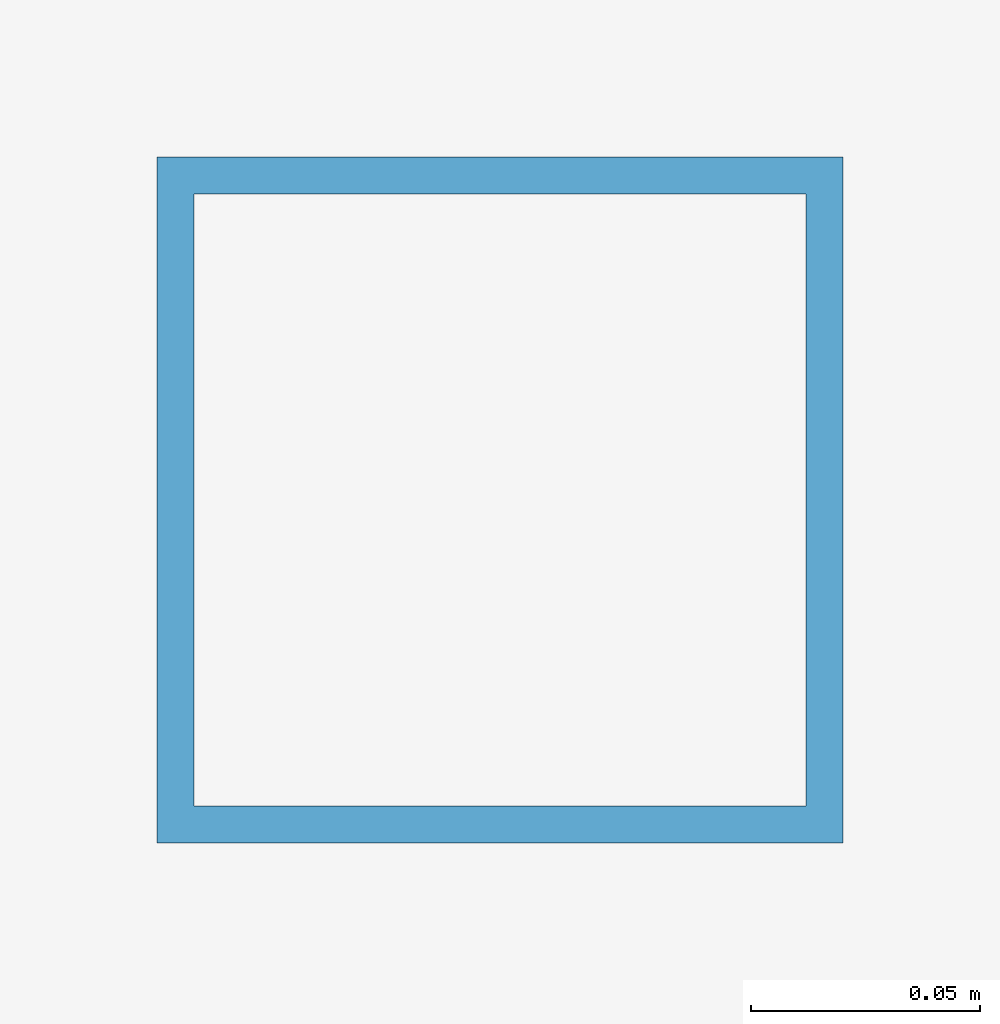
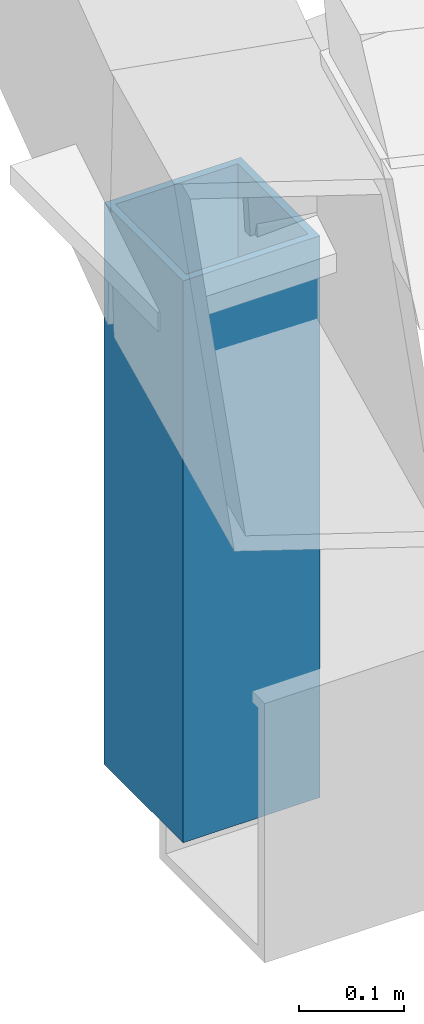
# One storey, part 12 of 18: 1 member.
"""IFC4 building model written with IfcOpenShell, lengths in metres."""

import ifcopenshell
import ifcopenshell.guid

model = None  # the IFC model being written
_history = None  # IfcOwnerHistory: only IFC2X3 demands one
_inside = {}  # id of a spatial element -> (the spatial element, [elements in it])
_under = {}  # id of a project, library or spatial element -> (it, [spatial elements below it])
_declared = {}  # id of a project -> (the project, [libraries it declares])
_typed = {}  # id of a type object -> (the type object, [elements of that type])
_made_of = {}  # id of a material, layer set ... -> (it, [elements and type objects made of it])


def new_model(schema):
    """Start an empty IFC model of exactly this schema.

    Asked for "IFC4X3", IfcOpenShell would pick the latest addendum, in which some entities
    have other attributes; the version numbers below select the first issue.
    IFC2X3 requires an IfcOwnerHistory on every rooted entity: one is made here for all.
    """
    global model, _history
    if schema == "IFC4X3":
        model = ifcopenshell.file(schema_version=(4, 3, 0, 0))
    else:
        model = ifcopenshell.file(schema=schema)
    _inside.clear()
    _under.clear()
    _declared.clear()
    _typed.clear()
    _made_of.clear()
    _history = None
    if model.schema == "IFC2X3":
        org = make("IfcOrganization", Name="unknown")
        user = make(
            "IfcPersonAndOrganization",
            ThePerson=make("IfcPerson", FamilyName="unknown"),
            TheOrganization=org,
        )
        app = make(
            "IfcApplication",
            ApplicationDeveloper=org,
            Version="unknown",
            ApplicationFullName="unknown",
            ApplicationIdentifier="unknown",
        )
        _history = make(
            "IfcOwnerHistory",
            OwningUser=user,
            OwningApplication=app,
            ChangeAction="ADDED",
            CreationDate=0,
        )
    return model


def make(cls, **values):
    """One entity of the class cls with the attributes given. An attribute that is None is left unset."""
    return model.create_entity(
        cls, **{name: value for name, value in values.items() if value is not None}
    )


def rooted(cls, **values):
    """An entity with a GlobalId (a new one), such as an element, a storey or a relation."""
    return make(cls, GlobalId=ifcopenshell.guid.new(), OwnerHistory=_history, **values)


def si_unit(unit_type, name, prefix=None):
    """IfcSIUnit, for example si_unit("LENGTHUNIT", "METRE", prefix="MILLI")."""
    return make("IfcSIUnit", UnitType=unit_type, Prefix=prefix, Name=name)


def assignment(units):
    """IfcUnitAssignment: the units of a project."""
    return None if units is None else make("IfcUnitAssignment", Units=units)


def point(xyz):
    """IfcCartesianPoint."""
    return None if xyz is None else make("IfcCartesianPoint", Coordinates=xyz)


def direction(xyz):
    """IfcDirection."""
    return None if xyz is None else make("IfcDirection", DirectionRatios=xyz)


def frame(location, z_axis=None, x_axis=None):
    """IfcAxis2Placement3D, a coordinate frame: its origin and axes. An axis left out is left unset."""
    return make(
        "IfcAxis2Placement3D",
        Location=point(location),
        Axis=direction(z_axis),
        RefDirection=direction(x_axis),
    )


def frame_2d(location, x_axis=None):
    """IfcAxis2Placement2D, a coordinate frame in the plane: its origin and x axis."""
    return make(
        "IfcAxis2Placement2D", Location=point(location), RefDirection=direction(x_axis)
    )


def origin():
    """The frame at (0, 0, 0) with its axes left unset."""
    return frame((0.0, 0.0, 0.0))


def origin_2d():
    """The frame at (0, 0) in the plane with its x axis left unset."""
    return frame_2d((0.0, 0.0))


def place(relative_to, where):
    """IfcLocalPlacement: puts the frame where relative to a parent placement (None: the world)."""
    return make(
        "IfcLocalPlacement", PlacementRelTo=relative_to, RelativePlacement=where
    )


def context(
    kind, dimensions, precision=None, world=None, true_north=None, identifier=None
):
    """IfcGeometricRepresentationContext, for example the 3D "Model" context."""
    return make(
        "IfcGeometricRepresentationContext",
        ContextIdentifier=identifier,
        ContextType=kind,
        CoordinateSpaceDimension=dimensions,
        Precision=precision,
        WorldCoordinateSystem=world,
        TrueNorth=true_north,
    )


def subcontext(parent, identifier, kind, view, scale=None):
    """IfcGeometricRepresentationSubContext, for example "Body" below "Model"."""
    return make(
        "IfcGeometricRepresentationSubContext",
        ContextIdentifier=identifier,
        ContextType=kind,
        ParentContext=parent,
        TargetScale=scale,
        TargetView=view,
    )


def project(units=None, contexts=None):
    """IfcProject with its units and contexts."""
    return rooted(
        "IfcProject",
        Name="project",
        RepresentationContexts=contexts,
        UnitsInContext=assignment(units),
    )


def spatial(cls, under=None, at=None, **own):
    """A site, building, storey or space (cls), placed at a placement, below another one or the project."""
    s = rooted(cls, ObjectPlacement=at, **own)
    if under is not None:
        _under.setdefault(under.id(), (under, []))[1].append(s)
    return s


def profile(cls, at=None, kind="AREA", **sizes):
    """A parametric profile (cls). Its sizes go by their IFC names, for example OverallWidth=200.0."""
    return make(cls, ProfileType=kind, Position=at, **sizes)


def hollow_rectangle(**sizes):
    """IfcRectangleHollowProfileDef."""
    return profile("IfcRectangleHollowProfileDef", **sizes)


def extrude(swept, where, along, depth):
    """IfcExtrudedAreaSolid: the profile swept, set in the frame where, extruded along a direction by depth."""
    return make(
        "IfcExtrudedAreaSolid",
        SweptArea=swept,
        Position=where,
        ExtrudedDirection=direction(along),
        Depth=depth,
    )


def shape(context_of_items, identifier, shape_type, items):
    """IfcShapeRepresentation: the items that make up one representation, for example the "Body"."""
    return make(
        "IfcShapeRepresentation",
        ContextOfItems=context_of_items,
        RepresentationIdentifier=identifier,
        RepresentationType=shape_type,
        Items=items,
    )


def material(Name=None, Category=None):
    """IfcMaterial."""
    return make("IfcMaterial", Name=Name, Category=Category)


def material_profile(
    of_material, cross_section, Name=None, Category=None, Priority=None
):
    """IfcMaterialProfile: a cross section and its material."""
    return make(
        "IfcMaterialProfile",
        Name=Name,
        Material=of_material,
        Profile=cross_section,
        Priority=Priority,
        Category=Category,
    )


def profile_set(profiles, Name=None, composite=None):
    """IfcMaterialProfileSet."""
    return make(
        "IfcMaterialProfileSet",
        Name=Name,
        MaterialProfiles=profiles,
        CompositeProfile=composite,
    )


def made_of(thing, what):
    """Note that an element or type object is made of a material, layer set ...; save() writes the relation."""
    if what is not None:
        _made_of.setdefault(what.id(), (what, []))[1].append(thing)
    return thing


def type_object(cls, material=None, **own):
    """A type object (cls), such as IfcWallType, which elements share."""
    return made_of(rooted(cls, **own), material)


def element(
    cls,
    number,
    at=None,
    inside=None,
    cuts=None,
    type_object=None,
    material=None,
    context=None,
    identifier="Body",
    shape_type=None,
    held_by="IfcProductDefinitionShape",
    body=None,
    shapes=None,
    **own,
):
    """One element of the class cls, such as IfcWall. Its Tag is "e" and its number.

    at: its placement. inside: the storey or other place that contains it. cuts: it is an
    opening in that element (IfcRelVoidsElement). A single representation is given by context,
    identifier, shape_type and body (its items); several are given by shapes. held_by: the class
    of the entity that holds the representations. save() writes the other relations.
    """
    e = rooted(cls, Tag="e%d" % number, ObjectPlacement=at, **own)
    if body is not None:
        shapes = [shape(context, identifier, shape_type, body)]
    if shapes is not None:
        e.Representation = make(held_by, Representations=shapes)
    if inside is not None:
        _inside.setdefault(inside.id(), (inside, []))[1].append(e)
    if cuts is not None:
        rooted(
            "IfcRelVoidsElement", RelatingBuildingElement=cuts, RelatedOpeningElement=e
        )
    if type_object is not None:
        _typed.setdefault(type_object.id(), (type_object, []))[1].append(e)
    return made_of(e, material)


def aggregate(whole, parts):
    """IfcRelAggregates: a whole, such as a stair, and the parts it consists of."""
    return rooted("IfcRelAggregates", RelatingObject=whole, RelatedObjects=parts)


def save(model, path):
    """Write the relations noted so far, then the file.

    IfcRelAggregates (storeys below a building ...), IfcRelContainedInSpatialStructure (elements
    in a storey), IfcRelDefinesByType, IfcRelAssociatesMaterial and IfcRelDeclares: one each for
    every whole, place, type object, material and project.
    """
    for whole, parts in _under.values():
        aggregate(whole, parts)
    for where, things in _inside.values():
        rooted(
            "IfcRelContainedInSpatialStructure",
            RelatedElements=things,
            RelatingStructure=where,
        )
    for kind, things in _typed.values():
        rooted("IfcRelDefinesByType", RelatedObjects=things, RelatingType=kind)
    for what, things in _made_of.values():
        rooted("IfcRelAssociatesMaterial", RelatedObjects=things, RelatingMaterial=what)
    for by, libraries in _declared.values():
        rooted("IfcRelDeclares", RelatingContext=by, RelatedDefinitions=libraries)
    model.write(path)


model = new_model("IFC4")

# Units and contexts
model_context = context("Model", 3, precision=1e-05, world=origin(), true_north=direction((0.0, 1.0)))
body_context = subcontext(model_context, "Body", "Model", "MODEL_VIEW")
ifc_project = project(units=[si_unit("LENGTHUNIT", "METRE"), si_unit("AREAUNIT", "SQUARE_METRE"), si_unit("VOLUMEUNIT", "CUBIC_METRE"), si_unit("PLANEANGLEUNIT", "RADIAN"), si_unit("MASSUNIT", "GRAM", prefix="KILO")], contexts=[model_context])

# Site, building, storey
site_placement = place(None, origin())
site = spatial("IfcSite", under=ifc_project, at=site_placement, CompositionType="ELEMENT")
building_placement = place(site_placement, origin())
building = spatial("IfcBuilding", under=site, at=building_placement, Name="Deido Ridge Mobility Hub", CompositionType="ELEMENT")
storey_placement = place(building_placement, frame((0.0, 0.0, 29.39990234375)))
storey = spatial("IfcBuildingStorey", under=building, at=storey_placement, Name="RF", CompositionType="ELEMENT", Elevation=29.39990234375)

# Member
ifc_material = material(Name="Steel S355J2H EN 10210-1", Category="steel")
ifc_material_profile = material_profile(ifc_material, hollow_rectangle(XDim=0.14990234375, YDim=0.14990234375, WallThickness=0.008056640625, at=origin_2d()), Name="SHS 150x150x8")
ifc_profile_set = profile_set([ifc_material_profile], Name="Steel S355J2H EN 10210-1")
member_type = type_object("IfcMemberType", Name="MEM-PST-SHS150", PredefinedType="POST", material=ifc_profile_set)
member_placement = place(storey_placement, frame((140.39990234375, 18.0, 0.0), z_axis=(0.0, 0.0, 1.0), x_axis=(1.0, 0.0, 0.0)))
element("IfcMember", 1, at=member_placement, inside=storey, type_object=member_type, Name="Crystal roof ridge post PS1", PredefinedType="POST", context=body_context, shape_type="SweptSolid", body=[
    extrude(hollow_rectangle(XDim=0.14990234375, YDim=0.14990234375, WallThickness=0.008056640625, at=origin_2d()), origin(), (0.0, 0.0, 1.0), 0.650146484375),
])

save(model, "model.ifc")
